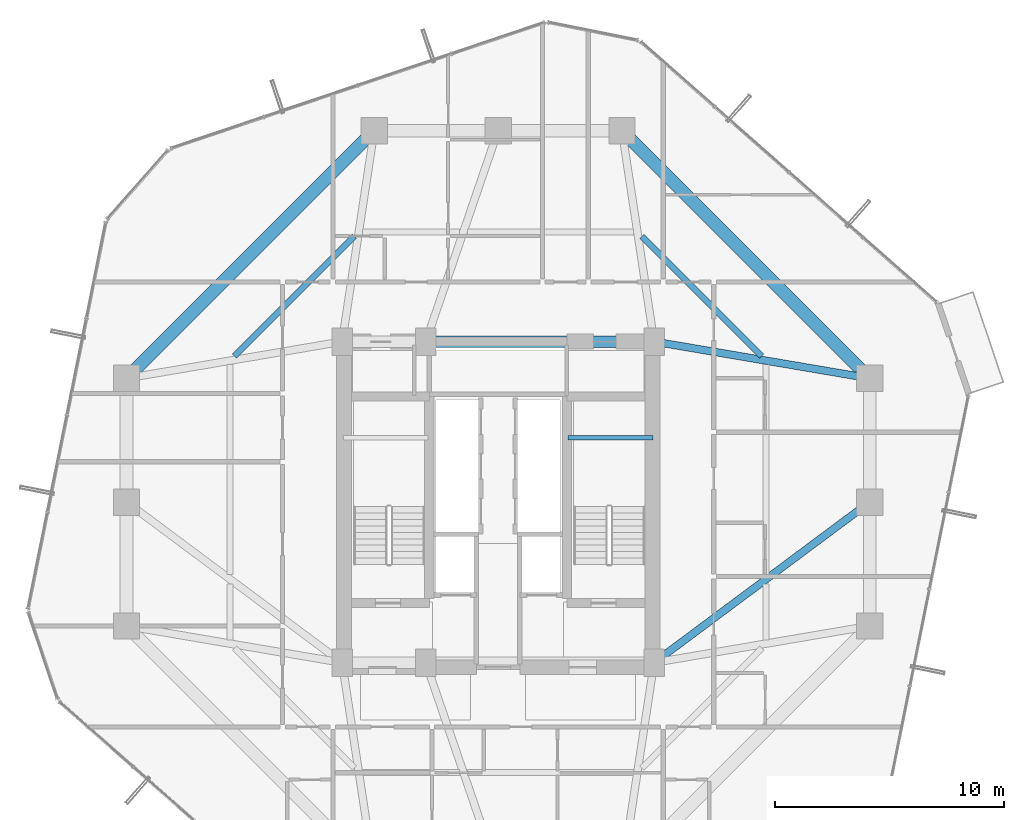
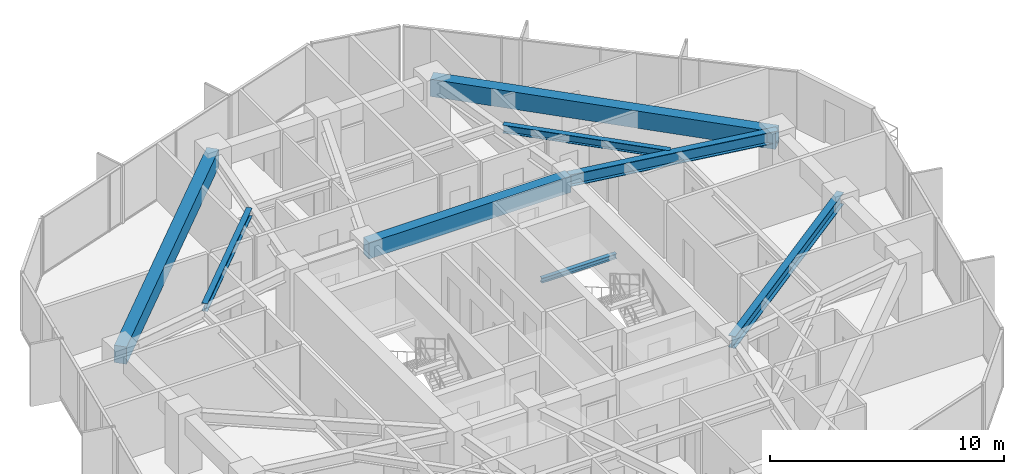
# One storey, part 16 of 32: 8 beams.
"""IFC4 building model written with IfcOpenShell, lengths in metres."""

from ifc_helpers import new_model, si_unit, direction, frame, origin, origin_2d, place, context, subcontext, project, spatial, rectangle, i_section, extrude, material, material_profile, profile_set, type_object, element, save


model = new_model("IFC4")

# Units and contexts
model_context = context("Model", 3, precision=1e-05, world=origin(), true_north=direction((0.0, 1.0)))
body_context = subcontext(model_context, "Body", "Model", "MODEL_VIEW")
ifc_project = project(units=[si_unit("LENGTHUNIT", "METRE"), si_unit("AREAUNIT", "SQUARE_METRE"), si_unit("VOLUMEUNIT", "CUBIC_METRE"), si_unit("PLANEANGLEUNIT", "RADIAN"), si_unit("MASSUNIT", "GRAM", prefix="KILO")], contexts=[model_context])

# Site, building, storey
site_placement = place(None, origin())
site = spatial("IfcSite", under=ifc_project, at=site_placement, CompositionType="ELEMENT")
building_placement = place(site_placement, origin())
building = spatial("IfcBuilding", under=site, at=building_placement, Name="Veraguas Prism Commons", CompositionType="ELEMENT")
storey_placement = place(building_placement, frame((0.0, 0.0, 89.449951171875)))
storey = spatial("IfcBuildingStorey", under=building, at=storey_placement, Name="L24", CompositionType="ELEMENT", Elevation=89.449951171875)

# Beams
ifc_material_1 = material(Name="Concrete C50/60", Category="concrete")
ifc_material_profile_1 = material_profile(ifc_material_1, rectangle(XDim=0.5, YDim=0.85009765625, at=origin_2d()), Name="RC500X850")
ifc_profile_set_1 = profile_set([ifc_material_profile_1], Name="Concrete C50/60")
beam_type_1 = type_object("IfcBeamType", Name="Core Coupling Beam RC 500x850", PredefinedType="BEAM", material=ifc_profile_set_1)
beam_1_placement = place(storey_placement, frame((20.85009765625, 31.0, 2.574951171875), z_axis=(1.0, 0.0, 0.0), x_axis=(0.0, 1.0, 0.0)))
element("IfcBeam", 1, at=beam_1_placement, inside=storey, type_object=beam_type_1, Name="Core Coupling Beam L24-CRN2", PredefinedType="BEAM", context=body_context, shape_type="SweptSolid", body=[
    extrude(rectangle(XDim=0.5, YDim=0.85009765625, at=origin_2d()), origin(), (0.0, 0.0, 1.0), 9.949951171875),
])
ifc_material_2 = material(Name="Steel ASTM A992 Grade 50", Category="steel")
ifc_material_profile_2 = material_profile(ifc_material_2, i_section(OverallWidth=0.260986328125, OverallDepth=0.419921875, WebThickness=0.01171875, FlangeThickness=0.019287109375, at=origin_2d()), Name="W410X114")
ifc_profile_set_2 = profile_set([ifc_material_profile_2], Name="Steel ASTM A992 Grade 50")
beam_type_2 = type_object("IfcBeamType", Name="Lower Floor Joist W410x114", PredefinedType="JOIST", material=ifc_profile_set_2)
for number, where, z_axis, x_axis, name in (
    (2, (35.489990234375, 30.365966796875, 2.7900390625), (-0.707090260193, 0.707123301794, 0.0), (-0.707123301794, -0.707090260193, 0.0), "Composite Floor Joist L24-JS03"),
    (3, (17.734619140625, 35.5908203125, 2.7900390625), (-0.707090260193, -0.707123301794, 0.0), (0.707123301794, -0.707090260193, 0.0), "Composite Floor Joist L24-JS06"),
):
    element("IfcBeam", number, at=place(storey_placement, frame(where, z_axis=z_axis, x_axis=x_axis)), inside=storey, type_object=beam_type_2, Name=name, PredefinedType="JOIST", context=body_context, shape_type="SweptSolid", body=[
        extrude(i_section(OverallWidth=0.260986328125, OverallDepth=0.419921875, WebThickness=0.01171875, FlangeThickness=0.019287109375, at=origin_2d()), origin(), (0.0, 0.0, 1.0), 7.388916015625),
    ])
ifc_material_profile_3 = material_profile(ifc_material_1, rectangle(XDim=0.550048828125, YDim=0.89990234375, at=origin_2d()), Name="RC550X900")
ifc_profile_set_3 = profile_set([ifc_material_profile_3], Name="Concrete C50/60")
beam_type_3 = type_object("IfcBeamType", Name="Perimeter Spandrel Lower RC 550x900", PredefinedType="SPANDREL", material=ifc_profile_set_3)
for number, where, z_axis, x_axis, name in (
    (4, (40.199951171875, 29.39990234375, 2.550048828125), (-0.707106781187, 0.707106781187, 0.0), (-0.707106781187, -0.707106781187, 0.0), "Perimeter Spandrel Beam L24-SP03"),
    (5, (18.60009765625, 40.199951171875, 2.550048828125), (-0.707106781187, -0.707106781187, 0.0), (0.707106781187, -0.707106781187, 0.0), "Perimeter Spandrel Beam L24-SP06"),
):
    element("IfcBeam", number, at=place(storey_placement, frame(where, z_axis=z_axis, x_axis=x_axis)), inside=storey, type_object=beam_type_3, Name=name, PredefinedType="SPANDREL", context=body_context, shape_type="SweptSolid", body=[
        extrude(rectangle(XDim=0.550048828125, YDim=0.89990234375, at=origin_2d()), origin(), (0.0, 0.0, 1.0), 15.273681640625),
    ])
ifc_material_profile_4 = material_profile(ifc_material_2, i_section(OverallWidth=0.202880859375, OverallDepth=0.251953125, WebThickness=0.008056640625, FlangeThickness=0.013427734375, at=origin_2d()), Name="W250X58")
ifc_profile_set_4 = profile_set([ifc_material_profile_4], Name="Steel ASTM A992 Grade 50")
beam_type_4 = type_object("IfcBeamType", Name="Structural Opening Lintel W250x58", PredefinedType="LINTEL", material=ifc_profile_set_4)
beam_2_placement = place(storey_placement, frame((27.050048828125, 26.800048828125, 1.299072265625), z_axis=(1.0, 0.0, 0.0), x_axis=(0.0, 1.0, 0.0)))
element("IfcBeam", 6, at=beam_2_placement, inside=storey, type_object=beam_type_4, Name="Stair ST-02 Half-Landing Support Beam L24-1", PredefinedType="LINTEL", context=body_context, shape_type="SweptSolid", body=[
    extrude(i_section(OverallWidth=0.202880859375, OverallDepth=0.251953125, WebThickness=0.008056640625, FlangeThickness=0.013427734375, at=origin_2d()), origin(), (0.0, 0.0, 1.0), 3.699951171875),
])
ifc_material_profile_5 = material_profile(ifc_material_2, i_section(OverallWidth=0.327880859375, OverallDepth=0.6220703125, WebThickness=0.015380859375, FlangeThickness=0.0244140625, at=origin_2d()), Name="W610X195")
ifc_profile_set_5 = profile_set([ifc_material_profile_5], Name="Steel ASTM A992 Grade 50")
beam_type_5 = type_object("IfcBeamType", Name="Zone 2 Radial Girder W610x195", PredefinedType="BEAM", material=ifc_profile_set_5)
beam_3_placement = place(storey_placement, frame((40.199951171875, 24.0, 2.68896484375), z_axis=(-0.802040137921, -0.597270137512, 0.0), x_axis=(0.597270137512, -0.802040137921, 0.0)))
element("IfcBeam", 7, at=beam_3_placement, inside=storey, type_object=beam_type_5, Name="Radial Floor Girder L24-RD02", PredefinedType="BEAM", context=body_context, shape_type="SweptSolid", body=[
    extrude(i_section(OverallWidth=0.327880859375, OverallDepth=0.6220703125, WebThickness=0.015380859375, FlangeThickness=0.0244140625, at=origin_2d()), origin(), (0.0, 0.0, 1.0), 11.719970703125),
])
beam_4_placement = place(storey_placement, frame((40.199951171875, 29.39990234375, 2.68896484375), z_axis=(-0.985819187151, 0.1678109956, 0.0), x_axis=(-0.1678109956, -0.985819187151, 0.0)))
element("IfcBeam", 8, at=beam_4_placement, inside=storey, type_object=beam_type_5, Name="Radial Floor Girder L24-RD03", PredefinedType="BEAM", context=body_context, shape_type="SweptSolid", body=[
    extrude(i_section(OverallWidth=0.327880859375, OverallDepth=0.6220703125, WebThickness=0.015380859375, FlangeThickness=0.0244140625, at=origin_2d()), origin(), (0.0, 0.0, 1.0), 9.53515625),
])

save(model, "model.ifc")
